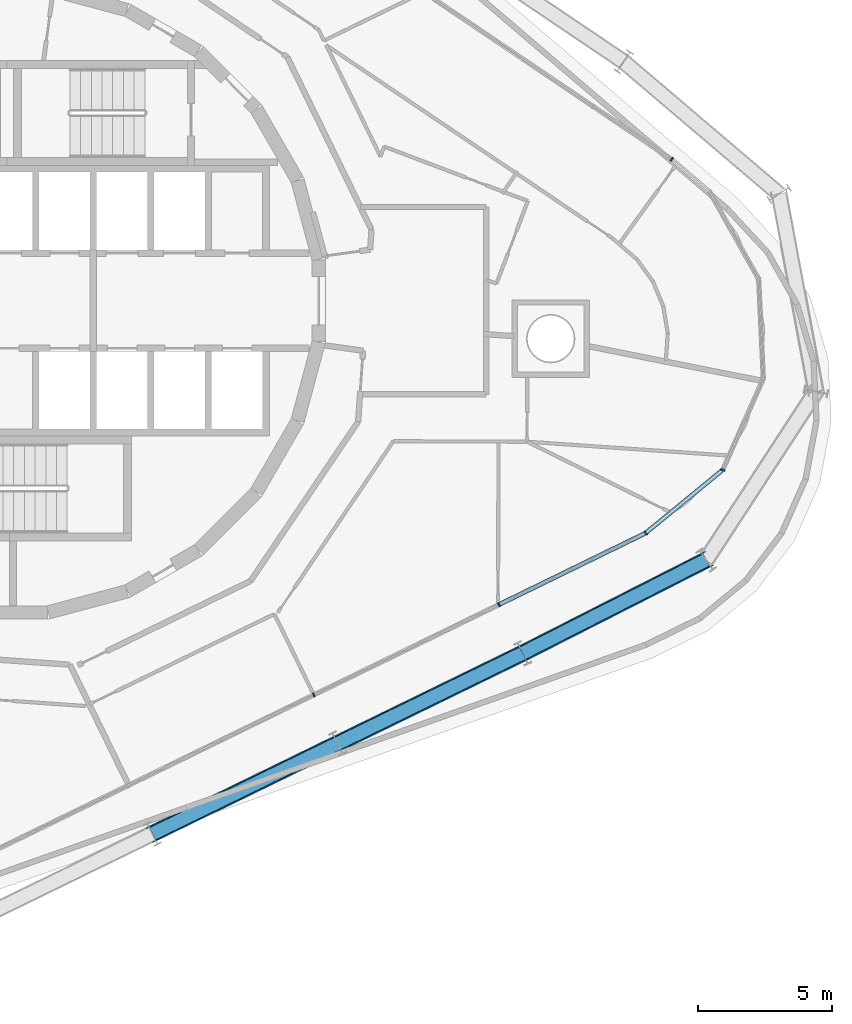
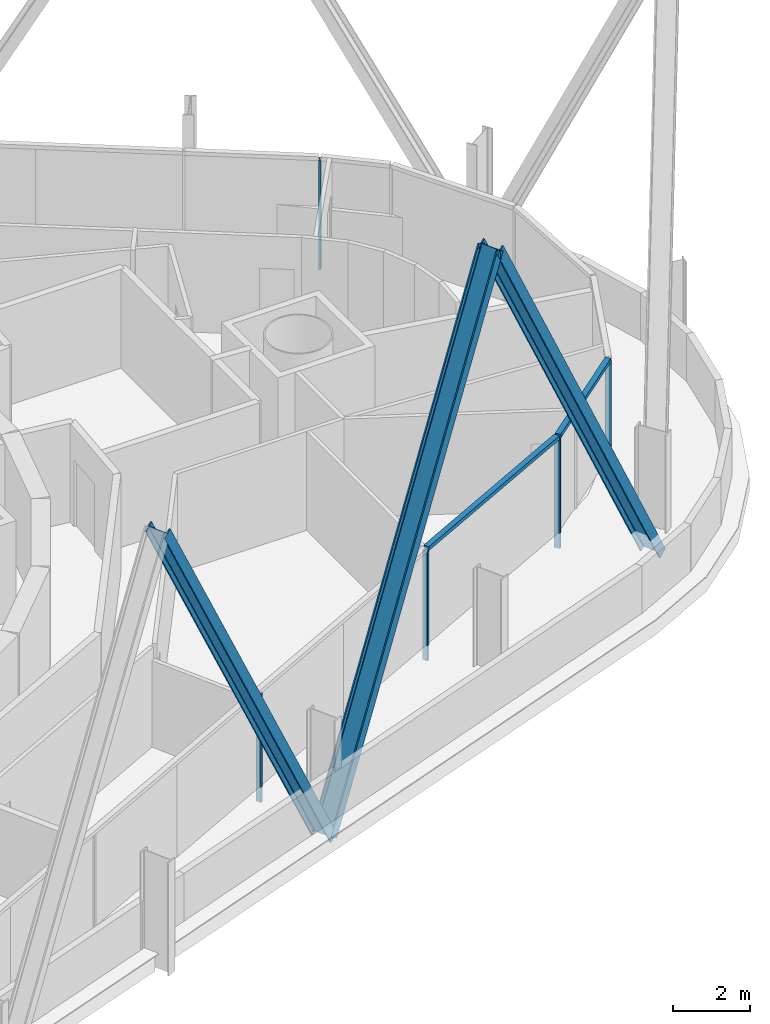
# One storey, part 5 of 18: 10 members, 2 elements without a shape of their own.
"""IFC4 building model written with IfcOpenShell, lengths in metres."""

from ifc_helpers import new_model, si_unit, direction, frame, origin, origin_2d, place, context, subcontext, project, spatial, rectangle, i_section, extrude, material, layer, layer_set, material_profile, profile_set, type_object, element, aggregate, save


model = new_model("IFC4")

# Units and contexts
model_context = context("Model", 3, precision=1e-05, world=origin(), true_north=direction((0.0, 1.0)))
body_context = subcontext(model_context, "Body", "Model", "MODEL_VIEW")
ifc_project = project(units=[si_unit("LENGTHUNIT", "METRE"), si_unit("AREAUNIT", "SQUARE_METRE"), si_unit("VOLUMEUNIT", "CUBIC_METRE"), si_unit("PLANEANGLEUNIT", "RADIAN"), si_unit("MASSUNIT", "GRAM", prefix="KILO")], contexts=[model_context])

# Site, building, storey
site_placement = place(None, origin())
site = spatial("IfcSite", under=ifc_project, at=site_placement, CompositionType="ELEMENT")
building_placement = place(site_placement, origin())
building = spatial("IfcBuilding", under=site, at=building_placement, Name="Spindle Arch Residences", CompositionType="ELEMENT")
storey_placement = place(building_placement, frame((0.0, 0.0, 188.39990234375)))
storey = spatial("IfcBuildingStorey", under=building, at=storey_placement, Name="L47", CompositionType="ELEMENT", Elevation=188.39990234375)

# Curtain wall, members
ifc_material_1 = material(Name="Aluminium bronze unitised frame with tinted glass", Category="aluminium")
ifc_layer_1 = layer(ifc_material_1, 0.159912109375)
ifc_layer_set_1 = layer_set([ifc_layer_1], Name="CW-D corner wall on the fillet arcs")
curtain_wall_type_1 = type_object("IfcCurtainWallType", Name="CW-D corner wall on the fillet arcs", PredefinedType="NOTDEFINED", material=ifc_layer_set_1)
curtain_wall_1_placement = place(storey_placement, origin())
curtain_wall_1 = element("IfcCurtainWall", 1, at=curtain_wall_1_placement, inside=storey, type_object=curtain_wall_type_1, Name="CW-D L47 run 1", PredefinedType="NOTDEFINED")
ifc_material_2 = material(Name="Aluminium bronze anodised mullion", Category="aluminium")
ifc_material_profile_1 = material_profile(ifc_material_2, rectangle(XDim=0.159912109375, YDim=0.06005859375, at=origin_2d()), Name="MU 60x160")
ifc_profile_set_1 = profile_set([ifc_material_profile_1], Name="Aluminium bronze anodised mullion")
member_type_1 = type_object("IfcMemberType", Name="Bronze mullion 60x160", PredefinedType="MULLION", material=ifc_profile_set_1)
member_1_placement = place(storey_placement, frame((18.377685546875, -11.353515625, -0.449951171875), z_axis=(0.0, 0.0, 1.0), x_axis=(-0.438371146789, 0.898794046299, 0.0)))
member_1 = element("IfcMember", 2, at=member_1_placement, type_object=member_type_1, Name="CW-D mullion 00", PredefinedType="MULLION", context=body_context, shape_type="SweptSolid", body=[
    extrude(rectangle(XDim=0.159912109375, YDim=0.06005859375, at=origin_2d()), origin(), (0.0, 0.0, 1.0), 3.449951171875),
])
member_2_placement = place(storey_placement, frame((23.85400390625, -8.6826171875, -0.449951171875), z_axis=(0.0, 0.0, 1.0), x_axis=(-0.633830963722, 0.773471595747, 0.0)))
member_2 = element("IfcMember", 3, at=member_2_placement, type_object=member_type_1, Name="CW-D mullion 01", PredefinedType="MULLION", context=body_context, shape_type="SweptSolid", body=[
    extrude(rectangle(XDim=0.159912109375, YDim=0.06005859375, at=origin_2d()), origin(), (0.0, 0.0, 1.0), 3.449951171875),
])
member_3_placement = place(storey_placement, frame((26.736572265625, -6.320556640625, -0.449951171875), z_axis=(0.0, 0.0, 1.0), x_axis=(-0.913545457934, 0.406736642422, 0.0)))
member_3 = element("IfcMember", 4, at=member_3_placement, type_object=member_type_1, Name="CW-D mullion 02", PredefinedType="MULLION", context=body_context, shape_type="SweptSolid", body=[
    extrude(rectangle(XDim=0.159912109375, YDim=0.06005859375, at=origin_2d()), origin(), (0.0, 0.0, 1.0), 3.449951171875),
])
member_4_placement = place(storey_placement, frame((24.830078125, 5.2783203125, -0.449951171875), z_axis=(0.0, 0.0, 1.0), x_axis=(-0.559192903471, -0.829037572555, 0.0)))
member_4 = element("IfcMember", 5, at=member_4_placement, type_object=member_type_1, Name="CW-D mullion 06", PredefinedType="MULLION", context=body_context, shape_type="SweptSolid", body=[
    extrude(rectangle(XDim=0.159912109375, YDim=0.06005859375, at=origin_2d()), origin(), (0.0, 0.0, 1.0), 3.449951171875),
])

# Curtain wall, member
ifc_material_3 = material(Name="Aluminium bronze unitised frame with tinted glass", Category="aluminium")
ifc_layer_2 = layer(ifc_material_3, 0.159912109375)
ifc_layer_set_2 = layer_set([ifc_layer_2], Name="CW-C typical residential unitised wall")
curtain_wall_type_2 = type_object("IfcCurtainWallType", Name="CW-C typical residential unitised wall", PredefinedType="NOTDEFINED", material=ifc_layer_set_2)
curtain_wall_2_placement = place(storey_placement, origin())
curtain_wall_2 = element("IfcCurtainWall", 6, at=curtain_wall_2_placement, inside=storey, type_object=curtain_wall_type_2, Name="CW-C L47 run 6", PredefinedType="NOTDEFINED")
member_5_placement = place(storey_placement, frame((11.46240234375, -14.726318359375, -0.449951171875), z_axis=(0.0, 0.0, 1.0), x_axis=(-0.438371146789, 0.898794046299, 0.0)))
member_5 = element("IfcMember", 7, at=member_5_placement, type_object=member_type_1, Name="CW-C mullion 00", PredefinedType="MULLION", context=body_context, shape_type="SweptSolid", body=[
    extrude(rectangle(XDim=0.159912109375, YDim=0.06005859375, at=origin_2d()), origin(), (0.0, 0.0, 1.0), 3.449951171875),
])
aggregate(curtain_wall_2, [member_5])

# Member
ifc_material_4 = material(Name="Aluminium bronze anodised transom", Category="aluminium")
ifc_material_profile_2 = material_profile(ifc_material_4, rectangle(XDim=0.159912109375, YDim=0.1201171875, at=origin_2d()), Name="TR 120x160")
ifc_profile_set_2 = profile_set([ifc_material_profile_2], Name="Aluminium bronze anodised transom")
member_type_2 = type_object("IfcMemberType", Name="Bronze transom 120x160", PredefinedType="USERDEFINED", material=ifc_profile_set_2)
member_6_placement = place(storey_placement, frame((18.404541015625, -11.340576171875, 3.06005859375), z_axis=(0.898786724344, 0.438386158704, 0.0), x_axis=(-0.438386158704, 0.898786724344, 0.0)))
member_6 = element("IfcMember", 8, at=member_6_placement, type_object=member_type_2, Name="CW-D transom 00", ObjectType="TRANSOM", PredefinedType="USERDEFINED", context=body_context, shape_type="SweptSolid", body=[
    extrude(rectangle(XDim=0.159912109375, YDim=0.1201171875, at=origin_2d()), origin(), (0.0, 0.0, 1.0), 6.032958984375),
])

member_7_placement = place(storey_placement, frame((23.877197265625, -8.66357421875, 3.06005859375), z_axis=(0.773494307947, 0.633803246737, 0.0), x_axis=(-0.633803246737, 0.773494307947, 0.0)))
member_7 = element("IfcMember", 9, at=member_7_placement, type_object=member_type_2, Name="CW-D transom 01", ObjectType="TRANSOM", PredefinedType="USERDEFINED", context=body_context, shape_type="SweptSolid", body=[
    extrude(rectangle(XDim=0.159912109375, YDim=0.1201171875, at=origin_2d()), origin(), (0.0, 0.0, 1.0), 3.666748046875),
])

aggregate(curtain_wall_1, [member_1, member_6, member_2, member_7, member_3, member_4])

# Members
ifc_material_5 = material(Name="Steel S460ML, intumescent coating R 240", Category="steel")
ifc_material_profile_3 = material_profile(ifc_material_5, i_section(OverallWidth=0.304931640625, OverallDepth=0.6201171875, WebThickness=0.02099609375, FlangeThickness=0.0400390625, FilletRadius=0.027099609375, at=origin_2d()), Name="HEM 600")
ifc_profile_set_3 = profile_set([ifc_material_profile_3], Name="Steel S460ML, intumescent coating R 240")
member_type_3 = type_object("IfcMemberType", Name="Diagrid diagonal HEM 600", PredefinedType="BRACE", material=ifc_profile_set_3)
member_8_placement = place(storey_placement, frame((12.347900390625, -16.5419921875, -0.699951171875), z_axis=(0.431226144949, 0.210322654632, 0.877387253646), x_axis=(-0.788590720377, -0.384620681448, 0.479782874995)))
element("IfcMember", 10, at=member_8_placement, inside=storey, type_object=member_type_3, Name="Diagrid diagonal 5.1.1", PredefinedType="BRACE", context=body_context, shape_type="SweptSolid", body=[
    extrude(i_section(OverallWidth=0.304931640625, OverallDepth=0.6201171875, WebThickness=0.02099609375, FlangeThickness=0.0400390625, FilletRadius=0.027099609375, at=origin_2d()), origin(), (0.0, 0.0, 1.0), 16.036376953125),
])
member_9_placement = place(storey_placement, frame((26.11669921875, -9.685546875, -0.699951171875), z_axis=(-0.427449634403, -0.217272685712, 0.877541674277), x_axis=(0.782282740889, 0.397634384075, 0.479500375295)))
element("IfcMember", 11, at=member_9_placement, inside=storey, type_object=member_type_3, Name="Diagrid diagonal 5.1.2", PredefinedType="BRACE", context=body_context, shape_type="SweptSolid", body=[
    extrude(i_section(OverallWidth=0.304931640625, OverallDepth=0.6201171875, WebThickness=0.02099609375, FlangeThickness=0.0400390625, FilletRadius=0.027099609375, at=origin_2d()), origin(), (0.0, 0.0, 1.0), 16.033447265625),
])
member_10_placement = place(storey_placement, frame((12.347900390625, -16.5419921875, -0.699951171875), z_axis=(-0.431202738783, -0.210310865147, 0.877401583123), x_axis=(0.788603868805, 0.384626411174, 0.479756669503)))
element("IfcMember", 12, at=member_10_placement, inside=storey, type_object=member_type_3, Name="Diagrid diagonal 5.1.22", PredefinedType="BRACE", context=body_context, shape_type="SweptSolid", body=[
    extrude(i_section(OverallWidth=0.304931640625, OverallDepth=0.6201171875, WebThickness=0.02099609375, FlangeThickness=0.0400390625, FilletRadius=0.027099609375, at=origin_2d()), origin(), (0.0, 0.0, 1.0), 16.0361328125),
])

save(model, "model.ifc")
